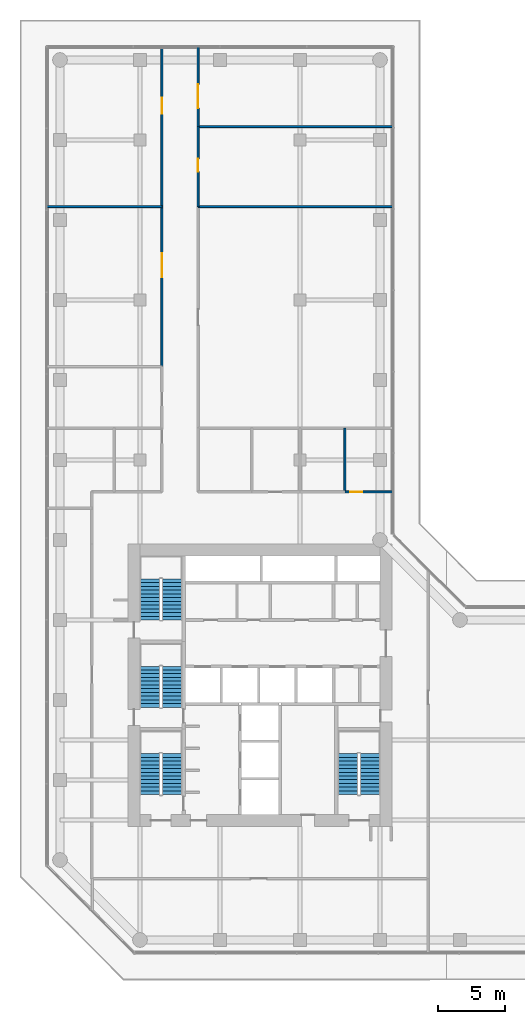
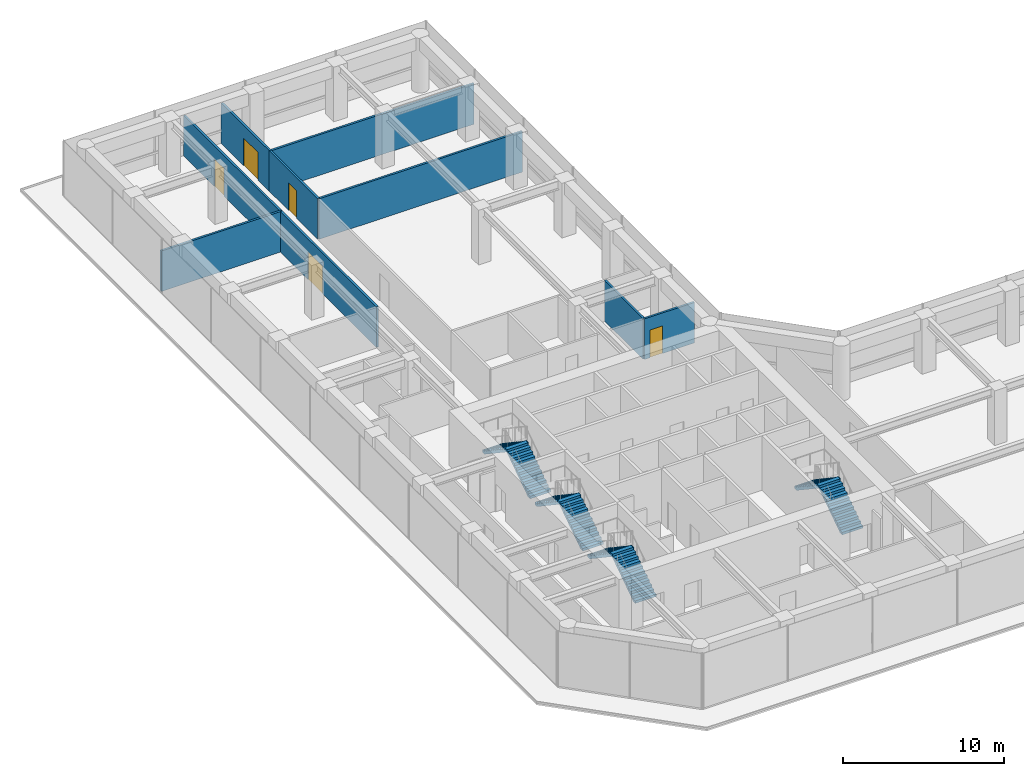
# One storey, part 23 of 24: 9 walls, 8 stair flights, 5 doors, 5 openings, 4 elements without a shape of their own.
"""IFC4 building model written with IfcOpenShell, lengths in metres."""

import ifcopenshell
import ifcopenshell.guid

model = None  # the IFC model being written
_history = None  # IfcOwnerHistory: only IFC2X3 demands one
_inside = {}  # id of a spatial element -> (the spatial element, [elements in it])
_under = {}  # id of a project, library or spatial element -> (it, [spatial elements below it])
_declared = {}  # id of a project -> (the project, [libraries it declares])
_typed = {}  # id of a type object -> (the type object, [elements of that type])
_made_of = {}  # id of a material, layer set ... -> (it, [elements and type objects made of it])


def new_model(schema):
    """Start an empty IFC model of exactly this schema.

    Asked for "IFC4X3", IfcOpenShell would pick the latest addendum, in which some entities
    have other attributes; the version numbers below select the first issue.
    IFC2X3 requires an IfcOwnerHistory on every rooted entity: one is made here for all.
    """
    global model, _history
    if schema == "IFC4X3":
        model = ifcopenshell.file(schema_version=(4, 3, 0, 0))
    else:
        model = ifcopenshell.file(schema=schema)
    _inside.clear()
    _under.clear()
    _declared.clear()
    _typed.clear()
    _made_of.clear()
    _history = None
    if model.schema == "IFC2X3":
        org = make("IfcOrganization", Name="unknown")
        user = make(
            "IfcPersonAndOrganization",
            ThePerson=make("IfcPerson", FamilyName="unknown"),
            TheOrganization=org,
        )
        app = make(
            "IfcApplication",
            ApplicationDeveloper=org,
            Version="unknown",
            ApplicationFullName="unknown",
            ApplicationIdentifier="unknown",
        )
        _history = make(
            "IfcOwnerHistory",
            OwningUser=user,
            OwningApplication=app,
            ChangeAction="ADDED",
            CreationDate=0,
        )
    return model


def make(cls, **values):
    """One entity of the class cls with the attributes given. An attribute that is None is left unset."""
    return model.create_entity(
        cls, **{name: value for name, value in values.items() if value is not None}
    )


def rooted(cls, **values):
    """An entity with a GlobalId (a new one), such as an element, a storey or a relation."""
    return make(cls, GlobalId=ifcopenshell.guid.new(), OwnerHistory=_history, **values)


def si_unit(unit_type, name, prefix=None):
    """IfcSIUnit, for example si_unit("LENGTHUNIT", "METRE", prefix="MILLI")."""
    return make("IfcSIUnit", UnitType=unit_type, Prefix=prefix, Name=name)


def assignment(units):
    """IfcUnitAssignment: the units of a project."""
    return None if units is None else make("IfcUnitAssignment", Units=units)


def point(xyz):
    """IfcCartesianPoint."""
    return None if xyz is None else make("IfcCartesianPoint", Coordinates=xyz)


def direction(xyz):
    """IfcDirection."""
    return None if xyz is None else make("IfcDirection", DirectionRatios=xyz)


def frame(location, z_axis=None, x_axis=None):
    """IfcAxis2Placement3D, a coordinate frame: its origin and axes. An axis left out is left unset."""
    return make(
        "IfcAxis2Placement3D",
        Location=point(location),
        Axis=direction(z_axis),
        RefDirection=direction(x_axis),
    )


def frame_2d(location, x_axis=None):
    """IfcAxis2Placement2D, a coordinate frame in the plane: its origin and x axis."""
    return make(
        "IfcAxis2Placement2D", Location=point(location), RefDirection=direction(x_axis)
    )


def origin():
    """The frame at (0, 0, 0) with its axes left unset."""
    return frame((0.0, 0.0, 0.0))


def place(relative_to, where):
    """IfcLocalPlacement: puts the frame where relative to a parent placement (None: the world)."""
    return make(
        "IfcLocalPlacement", PlacementRelTo=relative_to, RelativePlacement=where
    )


def context(
    kind, dimensions, precision=None, world=None, true_north=None, identifier=None
):
    """IfcGeometricRepresentationContext, for example the 3D "Model" context."""
    return make(
        "IfcGeometricRepresentationContext",
        ContextIdentifier=identifier,
        ContextType=kind,
        CoordinateSpaceDimension=dimensions,
        Precision=precision,
        WorldCoordinateSystem=world,
        TrueNorth=true_north,
    )


def subcontext(parent, identifier, kind, view, scale=None):
    """IfcGeometricRepresentationSubContext, for example "Body" below "Model"."""
    return make(
        "IfcGeometricRepresentationSubContext",
        ContextIdentifier=identifier,
        ContextType=kind,
        ParentContext=parent,
        TargetScale=scale,
        TargetView=view,
    )


def project(units=None, contexts=None):
    """IfcProject with its units and contexts."""
    return rooted(
        "IfcProject",
        Name="project",
        RepresentationContexts=contexts,
        UnitsInContext=assignment(units),
    )


def spatial(cls, under=None, at=None, **own):
    """A site, building, storey or space (cls), placed at a placement, below another one or the project."""
    s = rooted(cls, ObjectPlacement=at, **own)
    if under is not None:
        _under.setdefault(under.id(), (under, []))[1].append(s)
    return s


def polyline(points):
    """IfcPolyline through the points."""
    return make("IfcPolyline", Points=[point(p) for p in points])


def profile(cls, at=None, kind="AREA", **sizes):
    """A parametric profile (cls). Its sizes go by their IFC names, for example OverallWidth=200.0."""
    return make(cls, ProfileType=kind, Position=at, **sizes)


def rectangle(**sizes):
    """IfcRectangleProfileDef."""
    return profile("IfcRectangleProfileDef", **sizes)


def outline(outer, holes=None, kind="AREA"):
    """IfcArbitraryClosedProfileDef: a profile drawn as a closed curve; with holes, ...WithVoids."""
    if holes is None:
        return make("IfcArbitraryClosedProfileDef", ProfileType=kind, OuterCurve=outer)
    return make(
        "IfcArbitraryProfileDefWithVoids",
        ProfileType=kind,
        OuterCurve=outer,
        InnerCurves=holes,
    )


def extrude(swept, where, along, depth):
    """IfcExtrudedAreaSolid: the profile swept, set in the frame where, extruded along a direction by depth."""
    return make(
        "IfcExtrudedAreaSolid",
        SweptArea=swept,
        Position=where,
        ExtrudedDirection=direction(along),
        Depth=depth,
    )


def shape(context_of_items, identifier, shape_type, items):
    """IfcShapeRepresentation: the items that make up one representation, for example the "Body"."""
    return make(
        "IfcShapeRepresentation",
        ContextOfItems=context_of_items,
        RepresentationIdentifier=identifier,
        RepresentationType=shape_type,
        Items=items,
    )


def material(Name=None, Category=None):
    """IfcMaterial."""
    return make("IfcMaterial", Name=Name, Category=Category)


def layer(
    of_material, thickness, ventilated=None, Name=None, Category=None, Priority=None
):
    """IfcMaterialLayer: one layer of a wall or slab, of a material (None: an air gap)."""
    return make(
        "IfcMaterialLayer",
        Material=of_material,
        LayerThickness=thickness,
        IsVentilated=ventilated,
        Name=Name,
        Category=Category,
        Priority=Priority,
    )


def layer_set(layers, Name=None):
    """IfcMaterialLayerSet."""
    return make("IfcMaterialLayerSet", MaterialLayers=layers, LayerSetName=Name)


def made_of(thing, what):
    """Note that an element or type object is made of a material, layer set ...; save() writes the relation."""
    if what is not None:
        _made_of.setdefault(what.id(), (what, []))[1].append(thing)
    return thing


def type_object(cls, material=None, **own):
    """A type object (cls), such as IfcWallType, which elements share."""
    return made_of(rooted(cls, **own), material)


def element(
    cls,
    number,
    at=None,
    inside=None,
    cuts=None,
    type_object=None,
    material=None,
    context=None,
    identifier="Body",
    shape_type=None,
    held_by="IfcProductDefinitionShape",
    body=None,
    shapes=None,
    **own,
):
    """One element of the class cls, such as IfcWall. Its Tag is "e" and its number.

    at: its placement. inside: the storey or other place that contains it. cuts: it is an
    opening in that element (IfcRelVoidsElement). A single representation is given by context,
    identifier, shape_type and body (its items); several are given by shapes. held_by: the class
    of the entity that holds the representations. save() writes the other relations.
    """
    e = rooted(cls, Tag="e%d" % number, ObjectPlacement=at, **own)
    if body is not None:
        shapes = [shape(context, identifier, shape_type, body)]
    if shapes is not None:
        e.Representation = make(held_by, Representations=shapes)
    if inside is not None:
        _inside.setdefault(inside.id(), (inside, []))[1].append(e)
    if cuts is not None:
        rooted(
            "IfcRelVoidsElement", RelatingBuildingElement=cuts, RelatedOpeningElement=e
        )
    if type_object is not None:
        _typed.setdefault(type_object.id(), (type_object, []))[1].append(e)
    return made_of(e, material)


def fill(opening, filler):
    """IfcRelFillsElement: the door or window that sits in an opening."""
    return rooted(
        "IfcRelFillsElement",
        RelatingOpeningElement=opening,
        RelatedBuildingElement=filler,
    )


def aggregate(whole, parts):
    """IfcRelAggregates: a whole, such as a stair, and the parts it consists of."""
    return rooted("IfcRelAggregates", RelatingObject=whole, RelatedObjects=parts)


def save(model, path):
    """Write the relations noted so far, then the file.

    IfcRelAggregates (storeys below a building ...), IfcRelContainedInSpatialStructure (elements
    in a storey), IfcRelDefinesByType, IfcRelAssociatesMaterial and IfcRelDeclares: one each for
    every whole, place, type object, material and project.
    """
    for whole, parts in _under.values():
        aggregate(whole, parts)
    for where, things in _inside.values():
        rooted(
            "IfcRelContainedInSpatialStructure",
            RelatedElements=things,
            RelatingStructure=where,
        )
    for kind, things in _typed.values():
        rooted("IfcRelDefinesByType", RelatedObjects=things, RelatingType=kind)
    for what, things in _made_of.values():
        rooted("IfcRelAssociatesMaterial", RelatedObjects=things, RelatingMaterial=what)
    for by, libraries in _declared.values():
        rooted("IfcRelDeclares", RelatingContext=by, RelatedDefinitions=libraries)
    model.write(path)


model = new_model("IFC4")

# Units and contexts
model_context = context("Model", 3, precision=1e-05, world=origin(), true_north=direction((0.0, 1.0)))
body_context = subcontext(model_context, "Body", "Model", "MODEL_VIEW")
ifc_project = project(units=[si_unit("LENGTHUNIT", "METRE"), si_unit("AREAUNIT", "SQUARE_METRE"), si_unit("VOLUMEUNIT", "CUBIC_METRE"), si_unit("PLANEANGLEUNIT", "RADIAN"), si_unit("MASSUNIT", "GRAM", prefix="KILO")], contexts=[model_context])

# Site, building, storey
site_placement = place(None, origin())
site = spatial("IfcSite", under=ifc_project, at=site_placement, CompositionType="ELEMENT")
building_placement = place(site_placement, origin())
building = spatial("IfcBuilding", under=site, at=building_placement, Name="Welwitschia Terrace Campus", CompositionType="ELEMENT")
storey_placement = place(building_placement, frame((0.0, 0.0, 15.5)))
storey = spatial("IfcBuildingStorey", under=building, at=storey_placement, Name="L03", CompositionType="ELEMENT", Elevation=15.5)

# Wall
ifc_material_1 = material(Name="Gypsum board on steel studs", Category="steel")
ifc_layer = layer(ifc_material_1, 0.14990234375)
ifc_layer_set = layer_set([ifc_layer], Name="Gypsum board on steel studs")
wall_type = type_object("IfcWallType", Name="Corridor partition 150 EI 30", PredefinedType="PARTITIONING", material=ifc_layer_set)
wall_1_placement = place(storey_placement, frame((-0.969970703125, 51.0, 0.0), z_axis=(0.0, 0.0, 1.0), x_axis=(1.0, 0.0, 0.0)))
element("IfcWall", 1, at=wall_1_placement, inside=storey, type_object=wall_type, Name="Partition", PredefinedType="PARTITIONING", context=body_context, shape_type="SweptSolid", body=[
    extrude(rectangle(XDim=8.619873046875, YDim=0.14990234375, at=frame_2d((4.31005859375, 0.0))), origin(), (0.0, 0.0, 1.0), 3.080078125),
])

# Wall, opening, door
wall_2_placement = place(storey_placement, frame((7.64990234375, 51.0, 0.0), z_axis=(0.0, 0.0, 1.0), x_axis=(0.0, -1.0, 0.0)))
wall_2 = element("IfcWall", 2, at=wall_2_placement, inside=storey, type_object=wall_type, Name="Partition", PredefinedType="PARTITIONING", context=body_context, shape_type="SweptSolid", body=[
    extrude(rectangle(XDim=12.0, YDim=0.14990234375, at=frame_2d((6.0, 0.0))), origin(), (0.0, 0.0, 1.0), 3.080078125),
])
opening_1_placement = place(wall_2_placement, frame((3.5, 0.0, 0.0)))
opening_1 = element("IfcOpeningElement", 3, at=opening_1_placement, cuts=wall_2, Name="Opening DI18", PredefinedType="OPENING", context=body_context, shape_type="SweptSolid", body=[
    extrude(rectangle(XDim=1.800048828125, YDim=2.10009765625, at=frame_2d((0.89990234375, 1.050048828125))), frame((0.0, 0.0849609375, 0.0), z_axis=(0.0, -1.0, 0.0), x_axis=(1.0, 0.0, 0.0)), (0.0, 0.0, 1.0), 0.169921875),
])
ifc_material_2 = material(Name="Timber veneered door", Category="wood")
door_type_1 = type_object("IfcDoorType", Name="Interior door DI18", OperationType="DOUBLE_DOOR_SINGLE_SWING", PredefinedType="DOOR", material=ifc_material_2)
door_1_placement = place(opening_1_placement, origin())
door_1 = element("IfcDoor", 4, at=door_1_placement, inside=storey, type_object=door_type_1, Name="Door L03 112", OperationType="SINGLE_SWING_LEFT", OverallHeight=2.10009765625, OverallWidth=1.800048828125, PredefinedType="DOOR", context=body_context, shape_type="SweptSolid", body=[
    extrude(rectangle(XDim=1.800048828125, YDim=2.10009765625, at=frame_2d((0.89990234375, 1.050048828125))), frame((0.0, 0.02490234375, 0.0), z_axis=(0.0, -1.0, 0.0), x_axis=(1.0, 0.0, 0.0)), (0.0, 0.0, 1.0), 0.050048828125),
])
fill(opening_1, door_1)

wall_3_placement = place(storey_placement, frame((7.64990234375, 51.0, 0.0), z_axis=(0.0, 0.0, 1.0), x_axis=(0.0, 1.0, 0.0)))
wall_3 = element("IfcWall", 5, at=wall_3_placement, inside=storey, type_object=wall_type, Name="Partition", PredefinedType="PARTITIONING", context=body_context, shape_type="SweptSolid", body=[
    extrude(rectangle(XDim=11.969970703125, YDim=0.14990234375, at=frame_2d((5.98486328125, 0.0))), origin(), (0.0, 0.0, 1.0), 3.080078125),
])
opening_2_placement = place(wall_3_placement, frame((6.969970703125, 0.0, 0.0)))
opening_2 = element("IfcOpeningElement", 6, at=opening_2_placement, cuts=wall_3, Name="Opening DI12", PredefinedType="OPENING", context=body_context, shape_type="SweptSolid", body=[
    extrude(rectangle(XDim=1.199951171875, YDim=2.10009765625, at=frame_2d((0.60009765625, 1.050048828125))), frame((0.0, 0.0849609375, 0.0), z_axis=(0.0, -1.0, 0.0), x_axis=(1.0, 0.0, 0.0)), (0.0, 0.0, 1.0), 0.169921875),
])
ifc_material_3 = material(Name="Timber veneered door", Category="wood")
door_type_2 = type_object("IfcDoorType", Name="Interior door DI12", OperationType="NOTDEFINED", PredefinedType="DOOR", material=ifc_material_3)
door_2_placement = place(opening_2_placement, origin())
door_2 = element("IfcDoor", 7, at=door_2_placement, inside=storey, type_object=door_type_2, Name="Door L03 113", OperationType="SINGLE_SWING_RIGHT", OverallHeight=2.10009765625, OverallWidth=1.199951171875, PredefinedType="DOOR", context=body_context, shape_type="SweptSolid", body=[
    extrude(rectangle(XDim=1.199951171875, YDim=2.10009765625, at=frame_2d((0.60009765625, 1.050048828125))), frame((0.0, 0.02490234375, 0.0), z_axis=(0.0, -1.0, 0.0), x_axis=(1.0, 0.0, 0.0)), (0.0, 0.0, 1.0), 0.050048828125),
])
fill(opening_2, door_2)

# Wall
wall_4_placement = place(storey_placement, frame((10.35009765625, 51.0, 0.0), z_axis=(0.0, 0.0, 1.0), x_axis=(1.0, 0.0, 0.0)))
element("IfcWall", 8, at=wall_4_placement, inside=storey, type_object=wall_type, Name="Partition", PredefinedType="PARTITIONING", context=body_context, shape_type="SweptSolid", body=[
    extrude(rectangle(XDim=14.619873046875, YDim=0.14990234375, at=frame_2d((7.31005859375, 0.0))), origin(), (0.0, 0.0, 1.0), 3.080078125),
])

# Wall, opening, door
wall_5_placement = place(storey_placement, frame((10.35009765625, 57.0, 0.0), z_axis=(0.0, 0.0, 1.0), x_axis=(0.0, -1.0, 0.0)))
wall_5 = element("IfcWall", 9, at=wall_5_placement, inside=storey, type_object=wall_type, Name="Partition", PredefinedType="PARTITIONING", context=body_context, shape_type="SweptSolid", body=[
    extrude(rectangle(XDim=6.0, YDim=0.14990234375, at=frame_2d((3.0, 0.0))), origin(), (0.0, 0.0, 1.0), 3.080078125),
])
opening_3_placement = place(wall_5_placement, frame((2.39990234375, 0.0, 0.0)))
opening_3 = element("IfcOpeningElement", 10, at=opening_3_placement, cuts=wall_5, Name="Opening DI10", PredefinedType="OPENING", context=body_context, shape_type="SweptSolid", body=[
    extrude(rectangle(XDim=1.0, YDim=2.10009765625, at=frame_2d((0.5, 1.050048828125))), frame((0.0, 0.0849609375, 0.0), z_axis=(0.0, -1.0, 0.0), x_axis=(1.0, 0.0, 0.0)), (0.0, 0.0, 1.0), 0.169921875),
])
ifc_material_4 = material(Name="Timber veneered door", Category="wood")
door_type_3 = type_object("IfcDoorType", Name="Interior door DI10", OperationType="NOTDEFINED", PredefinedType="DOOR", material=ifc_material_4)
door_3_placement = place(opening_3_placement, origin())
door_3 = element("IfcDoor", 11, at=door_3_placement, inside=storey, type_object=door_type_3, Name="Door L03 115", OperationType="SINGLE_SWING_RIGHT", OverallHeight=2.10009765625, OverallWidth=1.0, PredefinedType="DOOR", context=body_context, shape_type="SweptSolid", body=[
    extrude(rectangle(XDim=1.0, YDim=2.10009765625, at=frame_2d((0.5, 1.050048828125))), frame((0.0, 0.02490234375, 0.0), z_axis=(0.0, -1.0, 0.0), x_axis=(1.0, 0.0, 0.0)), (0.0, 0.0, 1.0), 0.050048828125),
])
fill(opening_3, door_3)

wall_6_placement = place(storey_placement, frame((10.35009765625, 57.0, 0.0), z_axis=(0.0, 0.0, 1.0), x_axis=(0.0, 1.0, 0.0)))
wall_6 = element("IfcWall", 12, at=wall_6_placement, inside=storey, type_object=wall_type, Name="Partition", PredefinedType="PARTITIONING", context=body_context, shape_type="SweptSolid", body=[
    extrude(rectangle(XDim=5.969970703125, YDim=0.14990234375, at=frame_2d((2.98486328125, 0.0))), origin(), (0.0, 0.0, 1.0), 3.080078125),
])
opening_4_placement = place(wall_6_placement, frame((1.39990234375, 0.0, 0.0)))
opening_4 = element("IfcOpeningElement", 13, at=opening_4_placement, cuts=wall_6, Name="Opening DI18", PredefinedType="OPENING", context=body_context, shape_type="SweptSolid", body=[
    extrude(rectangle(XDim=1.800048828125, YDim=2.10009765625, at=frame_2d((0.89990234375, 1.050048828125))), frame((0.0, 0.0849609375, 0.0), z_axis=(0.0, -1.0, 0.0), x_axis=(1.0, 0.0, 0.0)), (0.0, 0.0, 1.0), 0.169921875),
])
door_4_placement = place(opening_4_placement, origin())
door_4 = element("IfcDoor", 14, at=door_4_placement, inside=storey, type_object=door_type_1, Name="Door L03 116", OperationType="SINGLE_SWING_LEFT", OverallHeight=2.10009765625, OverallWidth=1.800048828125, PredefinedType="DOOR", context=body_context, shape_type="SweptSolid", body=[
    extrude(rectangle(XDim=1.800048828125, YDim=2.10009765625, at=frame_2d((0.89990234375, 1.050048828125))), frame((0.0, 0.02490234375, 0.0), z_axis=(0.0, -1.0, 0.0), x_axis=(1.0, 0.0, 0.0)), (0.0, 0.0, 1.0), 0.050048828125),
])
fill(opening_4, door_4)

# Walls
wall_7_placement = place(storey_placement, frame((10.35009765625, 57.0, 0.0), z_axis=(0.0, 0.0, 1.0), x_axis=(1.0, 0.0, 0.0)))
element("IfcWall", 15, at=wall_7_placement, inside=storey, type_object=wall_type, Name="Partition", PredefinedType="PARTITIONING", context=body_context, shape_type="SweptSolid", body=[
    extrude(rectangle(XDim=14.60498046875, YDim=0.14990234375, at=frame_2d((7.302490234375, 0.0))), origin(), (0.0, 0.0, 1.0), 3.080078125),
])
wall_8_placement = place(storey_placement, frame((21.3701171875, 29.60009765625, 0.0), z_axis=(0.0, 0.0, 1.0), x_axis=(0.0, 1.0, 0.0)))
element("IfcWall", 16, at=wall_8_placement, inside=storey, type_object=wall_type, Name="Partition", PredefinedType="PARTITIONING", context=body_context, shape_type="SweptSolid", body=[
    extrude(rectangle(XDim=4.7998046875, YDim=0.14990234375, at=frame_2d((2.39990234375, 0.0))), origin(), (0.0, 0.0, 1.0), 3.080078125),
])

# Wall, opening, door
wall_9_placement = place(storey_placement, frame((21.3701171875, 29.60009765625, 0.0), z_axis=(0.0, 0.0, 1.0), x_axis=(1.0, 0.0, 0.0)))
wall_9 = element("IfcWall", 17, at=wall_9_placement, inside=storey, type_object=wall_type, Name="Partition", PredefinedType="PARTITIONING", context=body_context, shape_type="SweptSolid", body=[
    extrude(rectangle(XDim=3.599853515625, YDim=0.14990234375, at=frame_2d((1.7998046875, 0.0))), origin(), (0.0, 0.0, 1.0), 3.080078125),
])
opening_5_placement = place(wall_9_placement, frame((0.39990234375, 0.0, 0.0)))
opening_5 = element("IfcOpeningElement", 18, at=opening_5_placement, cuts=wall_9, Name="Opening DI09", PredefinedType="OPENING", context=body_context, shape_type="SweptSolid", body=[
    extrude(rectangle(XDim=0.89990234375, YDim=2.10009765625, at=frame_2d((0.449951171875, 1.050048828125))), frame((0.0, 0.0849609375, 0.0), z_axis=(0.0, -1.0, 0.0), x_axis=(1.0, 0.0, 0.0)), (0.0, 0.0, 1.0), 0.169921875),
])
ifc_material_5 = material(Name="Timber veneered door", Category="wood")
door_type_4 = type_object("IfcDoorType", Name="Interior door DI09", OperationType="NOTDEFINED", PredefinedType="DOOR", material=ifc_material_5)
door_5_placement = place(opening_5_placement, origin())
door_5 = element("IfcDoor", 19, at=door_5_placement, inside=storey, type_object=door_type_4, Name="Door L03 118", OperationType="SINGLE_SWING_LEFT", OverallHeight=2.10009765625, OverallWidth=0.89990234375, PredefinedType="DOOR", context=body_context, shape_type="SweptSolid", body=[
    extrude(rectangle(XDim=0.89990234375, YDim=2.10009765625, at=frame_2d((0.449951171875, 1.050048828125))), frame((0.0, 0.02490234375, 0.0), z_axis=(0.0, -1.0, 0.0), x_axis=(1.0, 0.0, 0.0)), (0.0, 0.0, 1.0), 0.050048828125),
])
fill(opening_5, door_5)

# Stair, stair flights
ifc_material_6 = material(Name="Concrete C40/50", Category="concrete")
stair_type = type_object("IfcStairType", Name="Stair 24R 188 W1500", PredefinedType="HALF_TURN_STAIR", material=ifc_material_6)
stair_1_placement = place(storey_placement, origin())
stair_1 = element("IfcStair", 20, at=stair_1_placement, inside=storey, type_object=stair_type, Name="L03 Exit stair S1", PredefinedType="HALF_TURN_STAIR")
ifc_material_7 = material(Name="Concrete C40/50", Category="concrete")
stair_flight_type = type_object("IfcStairFlightType", Name="Stair flight 24R 188 W1500", PredefinedType="STRAIGHT", material=ifc_material_7)
stair_flight_1_placement = place(storey_placement, frame((8.39990234375, 6.89990234375, 0.0), z_axis=(0.0, 0.0, 1.0), x_axis=(0.0, 1.0, 0.0)))
stair_flight_1 = element("IfcStairFlight", 21, at=stair_flight_1_placement, type_object=stair_flight_type, Name="S1 flight 1", NumberOfRisers=12, NumberOfTreads=11, PredefinedType="STRAIGHT", RiserHeight=0.1875, TreadLength=0.28, context=body_context, shape_type="SweptSolid", body=[
    extrude(outline(polyline([(0.0, 0.0), (0.0, 0.1875), (0.280029296875, 0.1875), (0.280029296875, 0.375), (0.56005859375, 0.375), (0.56005859375, 0.5625), (0.840087890625, 0.5625), (0.840087890625, 0.75), (1.1201171875, 0.75), (1.1201171875, 0.9375), (1.39990234375, 0.9375), (1.39990234375, 1.125), (1.679931640625, 1.125), (1.679931640625, 1.3125), (1.9599609375, 1.3125), (1.9599609375, 1.5), (2.239990234375, 1.5), (2.239990234375, 1.6875), (2.52001953125, 1.6875), (2.52001953125, 1.875), (2.800048828125, 1.875), (2.800048828125, 2.0625), (3.080078125, 2.0625), (3.080078125, 2.25), (3.080078125, 1.882080078125), (0.26953125, 0.0), (0.0, 0.0)])), frame((0.0, 0.75, 0.0), z_axis=(0.0, -1.0, 0.0), x_axis=(1.0, 0.0, 0.0)), (0.0, 0.0, 1.0), 1.5),
])
stair_flight_2_placement = place(storey_placement, frame((6.75, 9.97998046875, 2.25), z_axis=(0.0, 0.0, 1.0), x_axis=(0.0, -1.0, 0.0)))
stair_flight_2 = element("IfcStairFlight", 22, at=stair_flight_2_placement, type_object=stair_flight_type, Name="S1 flight 2", NumberOfRisers=12, NumberOfTreads=11, PredefinedType="STRAIGHT", RiserHeight=0.1875, TreadLength=0.28, context=body_context, shape_type="SweptSolid", body=[
    extrude(outline(polyline([(0.0, 0.0), (0.0, 0.1875), (0.280029296875, 0.1875), (0.280029296875, 0.375), (0.56005859375, 0.375), (0.56005859375, 0.5625), (0.840087890625, 0.5625), (0.840087890625, 0.75), (1.1201171875, 0.75), (1.1201171875, 0.9375), (1.39990234375, 0.9375), (1.39990234375, 1.125), (1.679931640625, 1.125), (1.679931640625, 1.3125), (1.9599609375, 1.3125), (1.9599609375, 1.5), (2.239990234375, 1.5), (2.239990234375, 1.6875), (2.52001953125, 1.6875), (2.52001953125, 1.875), (2.800048828125, 1.875), (2.800048828125, 2.0625), (3.080078125, 2.0625), (3.080078125, 2.25), (3.080078125, 1.882080078125), (0.26953125, 0.0), (0.0, 0.0)])), frame((0.0, 0.75, 0.0), z_axis=(0.0, -1.0, 0.0), x_axis=(1.0, 0.0, 0.0)), (0.0, 0.0, 1.0), 1.5),
])
aggregate(stair_1, [stair_flight_1, stair_flight_2])

stair_2_placement = place(storey_placement, origin())
stair_2 = element("IfcStair", 23, at=stair_2_placement, inside=storey, type_object=stair_type, Name="L03 Exit stair S3", PredefinedType="HALF_TURN_STAIR")
stair_flight_3_placement = place(storey_placement, frame((8.39990234375, 13.449951171875, 0.0), z_axis=(0.0, 0.0, 1.0), x_axis=(0.0, 1.0, 0.0)))
stair_flight_3 = element("IfcStairFlight", 24, at=stair_flight_3_placement, type_object=stair_flight_type, Name="S3 flight 1", NumberOfRisers=12, NumberOfTreads=11, PredefinedType="STRAIGHT", RiserHeight=0.1875, TreadLength=0.28, context=body_context, shape_type="SweptSolid", body=[
    extrude(outline(polyline([(0.0, 0.0), (0.0, 0.1875), (0.280029296875, 0.1875), (0.280029296875, 0.375), (0.56005859375, 0.375), (0.56005859375, 0.5625), (0.840087890625, 0.5625), (0.840087890625, 0.75), (1.1201171875, 0.75), (1.1201171875, 0.9375), (1.39990234375, 0.9375), (1.39990234375, 1.125), (1.679931640625, 1.125), (1.679931640625, 1.3125), (1.9599609375, 1.3125), (1.9599609375, 1.5), (2.239990234375, 1.5), (2.239990234375, 1.6875), (2.52001953125, 1.6875), (2.52001953125, 1.875), (2.800048828125, 1.875), (2.800048828125, 2.0625), (3.080078125, 2.0625), (3.080078125, 2.25), (3.080078125, 1.882080078125), (0.26953125, 0.0), (0.0, 0.0)])), frame((0.0, 0.75, 0.0), z_axis=(0.0, -1.0, 0.0), x_axis=(1.0, 0.0, 0.0)), (0.0, 0.0, 1.0), 1.5),
])
stair_flight_4_placement = place(storey_placement, frame((6.75, 16.530029296875, 2.25), z_axis=(0.0, 0.0, 1.0), x_axis=(0.0, -1.0, 0.0)))
stair_flight_4 = element("IfcStairFlight", 25, at=stair_flight_4_placement, type_object=stair_flight_type, Name="S3 flight 2", NumberOfRisers=12, NumberOfTreads=11, PredefinedType="STRAIGHT", RiserHeight=0.1875, TreadLength=0.28, context=body_context, shape_type="SweptSolid", body=[
    extrude(outline(polyline([(0.0, 0.0), (0.0, 0.1875), (0.280029296875, 0.1875), (0.280029296875, 0.375), (0.56005859375, 0.375), (0.56005859375, 0.5625), (0.840087890625, 0.5625), (0.840087890625, 0.75), (1.1201171875, 0.75), (1.1201171875, 0.9375), (1.39990234375, 0.9375), (1.39990234375, 1.125), (1.679931640625, 1.125), (1.679931640625, 1.3125), (1.9599609375, 1.3125), (1.9599609375, 1.5), (2.239990234375, 1.5), (2.239990234375, 1.6875), (2.52001953125, 1.6875), (2.52001953125, 1.875), (2.800048828125, 1.875), (2.800048828125, 2.0625), (3.080078125, 2.0625), (3.080078125, 2.25), (3.080078125, 1.882080078125), (0.26953125, 0.0), (0.0, 0.0)])), frame((0.0, 0.75, 0.0), z_axis=(0.0, -1.0, 0.0), x_axis=(1.0, 0.0, 0.0)), (0.0, 0.0, 1.0), 1.5),
])
aggregate(stair_2, [stair_flight_3, stair_flight_4])

stair_3_placement = place(storey_placement, origin())
stair_3 = element("IfcStair", 26, at=stair_3_placement, inside=storey, type_object=stair_type, Name="L03 Exit stair S4", PredefinedType="HALF_TURN_STAIR")
stair_flight_5_placement = place(storey_placement, frame((8.39990234375, 20.0, 0.0), z_axis=(0.0, 0.0, 1.0), x_axis=(0.0, 1.0, 0.0)))
stair_flight_5 = element("IfcStairFlight", 27, at=stair_flight_5_placement, type_object=stair_flight_type, Name="S4 flight 1", NumberOfRisers=12, NumberOfTreads=11, PredefinedType="STRAIGHT", RiserHeight=0.1875, TreadLength=0.28, context=body_context, shape_type="SweptSolid", body=[
    extrude(outline(polyline([(0.0, 0.0), (0.0, 0.1875), (0.280029296875, 0.1875), (0.280029296875, 0.375), (0.56005859375, 0.375), (0.56005859375, 0.5625), (0.840087890625, 0.5625), (0.840087890625, 0.75), (1.1201171875, 0.75), (1.1201171875, 0.9375), (1.39990234375, 0.9375), (1.39990234375, 1.125), (1.679931640625, 1.125), (1.679931640625, 1.3125), (1.9599609375, 1.3125), (1.9599609375, 1.5), (2.239990234375, 1.5), (2.239990234375, 1.6875), (2.52001953125, 1.6875), (2.52001953125, 1.875), (2.800048828125, 1.875), (2.800048828125, 2.0625), (3.080078125, 2.0625), (3.080078125, 2.25), (3.080078125, 1.882080078125), (0.26953125, 0.0), (0.0, 0.0)])), frame((0.0, 0.75, 0.0), z_axis=(0.0, -1.0, 0.0), x_axis=(1.0, 0.0, 0.0)), (0.0, 0.0, 1.0), 1.5),
])
stair_flight_6_placement = place(storey_placement, frame((6.75, 23.080078125, 2.25), z_axis=(0.0, 0.0, 1.0), x_axis=(0.0, -1.0, 0.0)))
stair_flight_6 = element("IfcStairFlight", 28, at=stair_flight_6_placement, type_object=stair_flight_type, Name="S4 flight 2", NumberOfRisers=12, NumberOfTreads=11, PredefinedType="STRAIGHT", RiserHeight=0.1875, TreadLength=0.28, context=body_context, shape_type="SweptSolid", body=[
    extrude(outline(polyline([(0.0, 0.0), (0.0, 0.1875), (0.280029296875, 0.1875), (0.280029296875, 0.375), (0.56005859375, 0.375), (0.56005859375, 0.5625), (0.840087890625, 0.5625), (0.840087890625, 0.75), (1.1201171875, 0.75), (1.1201171875, 0.9375), (1.39990234375, 0.9375), (1.39990234375, 1.125), (1.679931640625, 1.125), (1.679931640625, 1.3125), (1.9599609375, 1.3125), (1.9599609375, 1.5), (2.239990234375, 1.5), (2.239990234375, 1.6875), (2.52001953125, 1.6875), (2.52001953125, 1.875), (2.800048828125, 1.875), (2.800048828125, 2.0625), (3.080078125, 2.0625), (3.080078125, 2.25), (3.080078125, 1.882080078125), (0.26953125, 0.0), (0.0, 0.0)])), frame((0.0, 0.75, 0.0), z_axis=(0.0, -1.0, 0.0), x_axis=(1.0, 0.0, 0.0)), (0.0, 0.0, 1.0), 1.5),
])
aggregate(stair_3, [stair_flight_5, stair_flight_6])

stair_4_placement = place(storey_placement, origin())
stair_4 = element("IfcStair", 29, at=stair_4_placement, inside=storey, type_object=stair_type, Name="L03 Exit stair S2", PredefinedType="HALF_TURN_STAIR")
stair_flight_7_placement = place(storey_placement, frame((23.25, 6.89990234375, 0.0), z_axis=(0.0, 0.0, 1.0), x_axis=(0.0, 1.0, 0.0)))
stair_flight_7 = element("IfcStairFlight", 30, at=stair_flight_7_placement, type_object=stair_flight_type, Name="S2 flight 1", NumberOfRisers=12, NumberOfTreads=11, PredefinedType="STRAIGHT", RiserHeight=0.1875, TreadLength=0.28, context=body_context, shape_type="SweptSolid", body=[
    extrude(outline(polyline([(0.0, 0.0), (0.0, 0.1875), (0.280029296875, 0.1875), (0.280029296875, 0.375), (0.56005859375, 0.375), (0.56005859375, 0.5625), (0.840087890625, 0.5625), (0.840087890625, 0.75), (1.1201171875, 0.75), (1.1201171875, 0.9375), (1.39990234375, 0.9375), (1.39990234375, 1.125), (1.679931640625, 1.125), (1.679931640625, 1.3125), (1.9599609375, 1.3125), (1.9599609375, 1.5), (2.239990234375, 1.5), (2.239990234375, 1.6875), (2.52001953125, 1.6875), (2.52001953125, 1.875), (2.800048828125, 1.875), (2.800048828125, 2.0625), (3.080078125, 2.0625), (3.080078125, 2.25), (3.080078125, 1.882080078125), (0.26953125, 0.0), (0.0, 0.0)])), frame((0.0, 0.75, 0.0), z_axis=(0.0, -1.0, 0.0), x_axis=(1.0, 0.0, 0.0)), (0.0, 0.0, 1.0), 1.5),
])
stair_flight_8_placement = place(storey_placement, frame((21.60009765625, 9.97998046875, 2.25), z_axis=(0.0, 0.0, 1.0), x_axis=(0.0, -1.0, 0.0)))
stair_flight_8 = element("IfcStairFlight", 31, at=stair_flight_8_placement, type_object=stair_flight_type, Name="S2 flight 2", NumberOfRisers=12, NumberOfTreads=11, PredefinedType="STRAIGHT", RiserHeight=0.1875, TreadLength=0.28, context=body_context, shape_type="SweptSolid", body=[
    extrude(outline(polyline([(0.0, 0.0), (0.0, 0.1875), (0.280029296875, 0.1875), (0.280029296875, 0.375), (0.56005859375, 0.375), (0.56005859375, 0.5625), (0.840087890625, 0.5625), (0.840087890625, 0.75), (1.1201171875, 0.75), (1.1201171875, 0.9375), (1.39990234375, 0.9375), (1.39990234375, 1.125), (1.679931640625, 1.125), (1.679931640625, 1.3125), (1.9599609375, 1.3125), (1.9599609375, 1.5), (2.239990234375, 1.5), (2.239990234375, 1.6875), (2.52001953125, 1.6875), (2.52001953125, 1.875), (2.800048828125, 1.875), (2.800048828125, 2.0625), (3.080078125, 2.0625), (3.080078125, 2.25), (3.080078125, 1.882080078125), (0.26953125, 0.0), (0.0, 0.0)])), frame((0.0, 0.75, 0.0), z_axis=(0.0, -1.0, 0.0), x_axis=(1.0, 0.0, 0.0)), (0.0, 0.0, 1.0), 1.5),
])
aggregate(stair_4, [stair_flight_7, stair_flight_8])

save(model, "model.ifc")
